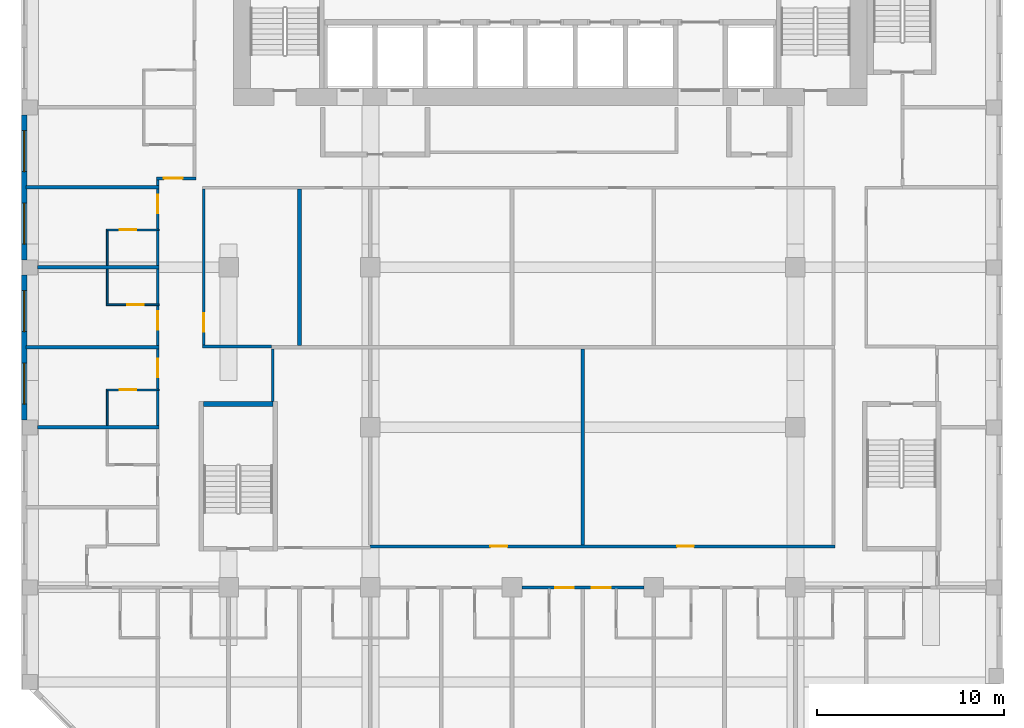
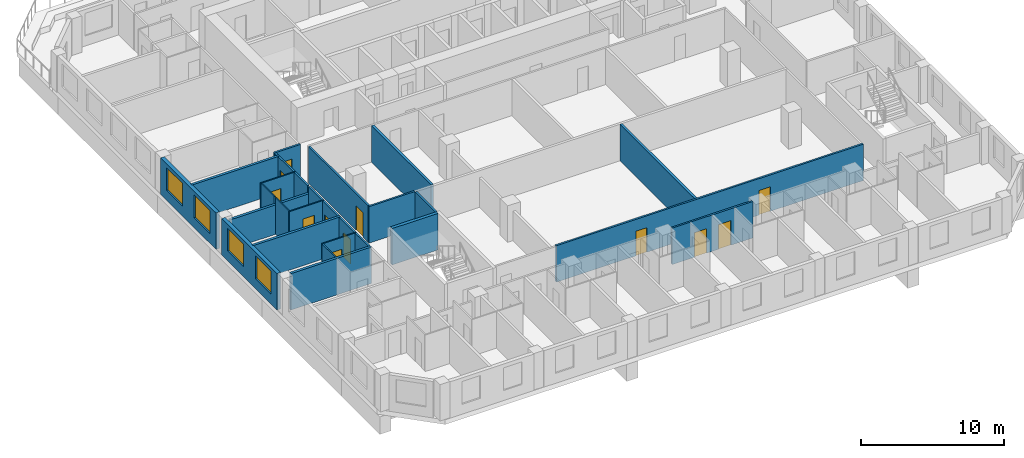
# One storey, part 4 of 16: 28 walls, 12 doors, 4 windows, 16 openings.
"""IFC4 building model written with IfcOpenShell, lengths in metres."""

from ifc_helpers import new_model, si_unit, direction, frame, frame_2d, origin, place, context, subcontext, project, spatial, rectangle, extrude, source, transform, mapped, material, layer, layer_set, type_object, element, fill, save


model = new_model("IFC4")

# Units and contexts
model_context = context("Model", 3, precision=1e-05, world=origin(), true_north=direction((0.0, 1.0)))
body_context = subcontext(model_context, "Body", "Model", "MODEL_VIEW")
ifc_project = project(units=[si_unit("LENGTHUNIT", "METRE"), si_unit("AREAUNIT", "SQUARE_METRE"), si_unit("VOLUMEUNIT", "CUBIC_METRE"), si_unit("PLANEANGLEUNIT", "RADIAN"), si_unit("MASSUNIT", "GRAM", prefix="KILO")], contexts=[model_context])

# Site, building, storey
site_placement = place(None, origin())
site = spatial("IfcSite", under=ifc_project, at=site_placement, CompositionType="ELEMENT")
building_placement = place(site_placement, origin())
building = spatial("IfcBuilding", under=site, at=building_placement, Name="Kilnfold Tower and Market Hall", CompositionType="ELEMENT")
storey_placement = place(building_placement, frame((0.0, 0.0, 168.5)))
storey = spatial("IfcBuildingStorey", under=building, at=storey_placement, Name="L39", CompositionType="ELEMENT", Elevation=168.5)

# Wall, openings, doors
ifc_material_1 = material(Name="Gypsum board on steel studs", Category="steel")
ifc_layer_1 = layer(ifc_material_1, 0.14990234375)
ifc_layer_set_1 = layer_set([ifc_layer_1], Name="Gypsum board on steel studs")
wall_type_1 = type_object("IfcWallType", Name="WALL CORRIDOR 150", PredefinedType="PARTITIONING", material=ifc_layer_set_1)
wall_1_placement = place(storey_placement, frame((-0.47509765625, -17.699951171875, 0.0), z_axis=(0.0, 0.0, 1.0), x_axis=(1.0, 0.0, 0.0)))
wall_1 = element("IfcWall", 1, at=wall_1_placement, inside=storey, type_object=wall_type_1, Name="Partition LY26.4", PredefinedType="PARTITIONING", context=body_context, shape_type="SweptSolid", body=[
    extrude(rectangle(XDim=6.533203125, YDim=0.14990234375, at=frame_2d((3.2666015625, 0.0))), origin(), (0.0, 0.0, 1.0), 3.1201171875),
])
opening_1_placement = place(wall_1_placement, frame((1.785888671875, 0.0, 0.0)))
opening_1 = element("IfcOpeningElement", 2, at=opening_1_placement, cuts=wall_1, Name="Opening D1", PredefinedType="OPENING", context=body_context, shape_type="SweptSolid", body=[
    extrude(rectangle(XDim=1.0, YDim=2.10009765625, at=frame_2d((0.5, 1.050048828125))), frame((0.0, 0.0849609375, 0.0), z_axis=(0.0, -1.0, 0.0), x_axis=(1.0, 0.0, 0.0)), (0.0, 0.0, 1.0), 0.169921875),
])
opening_2_placement = place(wall_1_placement, frame((3.748046875, 0.0, 0.0)))
opening_2 = element("IfcOpeningElement", 3, at=opening_2_placement, cuts=wall_1, Name="Opening D1", PredefinedType="OPENING", context=body_context, shape_type="SweptSolid", body=[
    extrude(rectangle(XDim=1.0, YDim=2.10009765625, at=frame_2d((0.5, 1.050048828125))), frame((0.0, 0.0849609375, 0.0), z_axis=(0.0, -1.0, 0.0), x_axis=(1.0, 0.0, 0.0)), (0.0, 0.0, 1.0), 0.169921875),
])
ifc_material_2 = material(Name="Timber veneer door leaf in steel frame", Category="steel")
door_type_1 = type_object("IfcDoorType", Name="DOOR ENTRY 1000 X2100", OperationType="NOTDEFINED", PredefinedType="DOOR", material=ifc_material_2)
door_1_placement = place(opening_1_placement, origin())
door_1 = element("IfcDoor", 4, at=door_1_placement, inside=storey, type_object=door_type_1, Name="Door D1", OperationType="SINGLE_SWING_RIGHT", OverallHeight=2.10009765625, OverallWidth=1.0, PredefinedType="DOOR", context=body_context, shape_type="SweptSolid", body=[
    extrude(rectangle(XDim=1.0, YDim=2.10009765625, at=frame_2d((0.5, 1.050048828125))), frame((0.0, 0.02490234375, 0.0), z_axis=(0.0, -1.0, 0.0), x_axis=(1.0, 0.0, 0.0)), (0.0, 0.0, 1.0), 0.050048828125),
])
fill(opening_1, door_1)
door_2_placement = place(opening_2_placement, origin())
door_2 = element("IfcDoor", 5, at=door_2_placement, inside=storey, type_object=door_type_1, Name="Door D1", OperationType="SINGLE_SWING_RIGHT", OverallHeight=2.10009765625, OverallWidth=1.0, PredefinedType="DOOR", context=body_context, shape_type="SweptSolid", body=[
    extrude(rectangle(XDim=1.0, YDim=2.10009765625, at=frame_2d((0.5, 1.050048828125))), frame((0.0, 0.02490234375, 0.0), z_axis=(0.0, -1.0, 0.0), x_axis=(1.0, 0.0, 0.0)), (0.0, 0.0, 1.0), 0.050048828125),
])
fill(opening_2, door_2)

# Wall, opening, door
wall_2_placement = place(storey_placement, frame((-19.958984375, -7.0849609375, 0.0), z_axis=(0.0, 0.0, 1.0), x_axis=(0.0, 1.0, 0.0)))
wall_2 = element("IfcWall", 6, at=wall_2_placement, inside=storey, type_object=wall_type_1, Name="Partition LY26.12", PredefinedType="PARTITIONING", context=body_context, shape_type="SweptSolid", body=[
    extrude(rectangle(XDim=2.15185546875, YDim=0.14990234375, at=frame_2d((1.075927734375, 0.0))), origin(), (0.0, 0.0, 1.0), 3.1201171875),
])
opening_3_placement = place(wall_2_placement, frame((0.6298828125, 0.0, 0.0)))
opening_3 = element("IfcOpeningElement", 7, at=opening_3_placement, cuts=wall_2, Name="Opening D1", PredefinedType="OPENING", context=body_context, shape_type="SweptSolid", body=[
    extrude(rectangle(XDim=1.0, YDim=2.10009765625, at=frame_2d((0.5, 1.050048828125))), frame((0.0, 0.0849609375, 0.0), z_axis=(0.0, -1.0, 0.0), x_axis=(1.0, 0.0, 0.0)), (0.0, 0.0, 1.0), 0.169921875),
])
door_3_placement = place(opening_3_placement, origin())
door_3 = element("IfcDoor", 8, at=door_3_placement, inside=storey, type_object=door_type_1, Name="Door D1", OperationType="SINGLE_SWING_RIGHT", OverallHeight=2.10009765625, OverallWidth=1.0, PredefinedType="DOOR", context=body_context, shape_type="SweptSolid", body=[
    extrude(rectangle(XDim=1.0, YDim=2.10009765625, at=frame_2d((0.5, 1.050048828125))), frame((0.0, 0.02490234375, 0.0), z_axis=(0.0, -1.0, 0.0), x_axis=(1.0, 0.0, 0.0)), (0.0, 0.0, 1.0), 0.050048828125),
])
fill(opening_3, door_3)

# Wall
wall_3_placement = place(storey_placement, frame((-19.958984375, -9.034912109375, 0.0), z_axis=(0.0, 0.0, 1.0), x_axis=(0.0, 1.0, 0.0)))
element("IfcWall", 9, at=wall_3_placement, inside=storey, type_object=wall_type_1, Name="Partition LY26.13", PredefinedType="PARTITIONING", context=body_context, shape_type="SweptSolid", body=[
    extrude(rectangle(XDim=1.869873046875, YDim=0.14990234375, at=frame_2d((0.93505859375, 0.0))), origin(), (0.0, 0.0, 1.0), 3.1201171875),
])

# Wall, opening, door
wall_4_placement = place(storey_placement, frame((-19.958984375, -4.7529296875, 0.0), z_axis=(0.0, 0.0, 1.0), x_axis=(0.0, 1.0, 0.0)))
wall_4 = element("IfcWall", 10, at=wall_4_placement, inside=storey, type_object=wall_type_1, Name="Partition LY26.14", PredefinedType="PARTITIONING", context=body_context, shape_type="SweptSolid", body=[
    extrude(rectangle(XDim=2.15087890625, YDim=0.14990234375, at=frame_2d((1.075439453125, 0.0))), origin(), (0.0, 0.0, 1.0), 3.1201171875),
])
opening_4_placement = place(wall_4_placement, frame((0.843994140625, 0.0, 0.0)))
opening_4 = element("IfcOpeningElement", 11, at=opening_4_placement, cuts=wall_4, Name="Opening D1", PredefinedType="OPENING", context=body_context, shape_type="SweptSolid", body=[
    extrude(rectangle(XDim=1.0, YDim=2.10009765625, at=frame_2d((0.5, 1.050048828125))), frame((0.0, 0.0849609375, 0.0), z_axis=(0.0, -1.0, 0.0), x_axis=(1.0, 0.0, 0.0)), (0.0, 0.0, 1.0), 0.169921875),
])
door_4_placement = place(opening_4_placement, origin())
door_4 = element("IfcDoor", 12, at=door_4_placement, inside=storey, type_object=door_type_1, Name="Door D1", OperationType="SINGLE_SWING_RIGHT", OverallHeight=2.10009765625, OverallWidth=1.0, PredefinedType="DOOR", context=body_context, shape_type="SweptSolid", body=[
    extrude(rectangle(XDim=1.0, YDim=2.10009765625, at=frame_2d((0.5, 1.050048828125))), frame((0.0, 0.02490234375, 0.0), z_axis=(0.0, -1.0, 0.0), x_axis=(1.0, 0.0, 0.0)), (0.0, 0.0, 1.0), 0.050048828125),
])
fill(opening_4, door_4)

# Wall
wall_5_placement = place(storey_placement, frame((-19.958984375, -2.52197265625, 0.0), z_axis=(0.0, 0.0, 1.0), x_axis=(0.0, 1.0, 0.0)))
element("IfcWall", 13, at=wall_5_placement, inside=storey, type_object=wall_type_1, Name="Partition LY26.15", PredefinedType="PARTITIONING", context=body_context, shape_type="SweptSolid", body=[
    extrude(rectangle(XDim=1.869873046875, YDim=0.14990234375, at=frame_2d((0.93505859375, 0.0))), origin(), (0.0, 0.0, 1.0), 3.1201171875),
])

# Wall, opening, door
wall_6_placement = place(storey_placement, frame((-19.958984375, 1.47802734375, 0.0), z_axis=(0.0, 0.0, 1.0), x_axis=(0.0, 1.0, 0.0)))
wall_6 = element("IfcWall", 14, at=wall_6_placement, inside=storey, type_object=wall_type_1, Name="Partition LY26.16", PredefinedType="PARTITIONING", context=body_context, shape_type="SweptSolid", body=[
    extrude(rectangle(XDim=2.15087890625, YDim=0.14990234375, at=frame_2d((1.075439453125, 0.0))), origin(), (0.0, 0.0, 1.0), 3.1201171875),
])
opening_5_placement = place(wall_6_placement, frame((0.843994140625, 0.0, 0.0)))
opening_5 = element("IfcOpeningElement", 15, at=opening_5_placement, cuts=wall_6, Name="Opening D1", PredefinedType="OPENING", context=body_context, shape_type="SweptSolid", body=[
    extrude(rectangle(XDim=1.0, YDim=2.10009765625, at=frame_2d((0.5, 1.050048828125))), frame((0.0, 0.0849609375, 0.0), z_axis=(0.0, -1.0, 0.0), x_axis=(1.0, 0.0, 0.0)), (0.0, 0.0, 1.0), 0.169921875),
])
door_5_placement = place(opening_5_placement, origin())
door_5 = element("IfcDoor", 16, at=door_5_placement, inside=storey, type_object=door_type_1, Name="Door D1", OperationType="SINGLE_SWING_RIGHT", OverallHeight=2.10009765625, OverallWidth=1.0, PredefinedType="DOOR", context=body_context, shape_type="SweptSolid", body=[
    extrude(rectangle(XDim=1.0, YDim=2.10009765625, at=frame_2d((0.5, 1.050048828125))), frame((0.0, 0.02490234375, 0.0), z_axis=(0.0, -1.0, 0.0), x_axis=(1.0, 0.0, 0.0)), (0.0, 0.0, 1.0), 0.050048828125),
])
fill(opening_5, door_5)

# Walls
wall_7_placement = place(storey_placement, frame((-19.958984375, -0.471923828125, 0.0), z_axis=(0.0, 0.0, 1.0), x_axis=(0.0, 1.0, 0.0)))
element("IfcWall", 17, at=wall_7_placement, inside=storey, type_object=wall_type_1, Name="Partition LY26.17", PredefinedType="PARTITIONING", context=body_context, shape_type="SweptSolid", body=[
    extrude(rectangle(XDim=1.869873046875, YDim=0.14990234375, at=frame_2d((0.93505859375, 0.0))), origin(), (0.0, 0.0, 1.0), 3.1201171875),
])
wall_8_placement = place(storey_placement, frame((-19.958984375, 3.80908203125, 0.0), z_axis=(0.0, 0.0, 1.0), x_axis=(0.0, 1.0, 0.0)))
element("IfcWall", 18, at=wall_8_placement, inside=storey, type_object=wall_type_1, Name="Partition LY26.18", PredefinedType="PARTITIONING", context=body_context, shape_type="SweptSolid", body=[
    extrude(rectangle(XDim=0.31591796875, YDim=0.14990234375, at=frame_2d((0.157958984375, 0.0))), origin(), (0.0, 0.0, 1.0), 3.1201171875),
])

# Wall, opening, door
wall_9_placement = place(storey_placement, frame((-17.925048828125, 4.199951171875, 0.0), z_axis=(0.0, 0.0, 1.0), x_axis=(-1.0, 0.0, 0.0)))
wall_9 = element("IfcWall", 19, at=wall_9_placement, inside=storey, type_object=wall_type_1, Name="Partition LY26.19", PredefinedType="PARTITIONING", context=body_context, shape_type="SweptSolid", body=[
    extrude(rectangle(XDim=2.10888671875, YDim=0.14990234375, at=frame_2d((1.054443359375, 0.0))), origin(), (0.0, 0.0, 1.0), 3.1201171875),
])
opening_6_placement = place(wall_9_placement, frame((0.7060546875, 0.0, 0.0)))
opening_6 = element("IfcOpeningElement", 20, at=opening_6_placement, cuts=wall_9, Name="Opening D1", PredefinedType="OPENING", context=body_context, shape_type="SweptSolid", body=[
    extrude(rectangle(XDim=1.0, YDim=2.10009765625, at=frame_2d((0.5, 1.050048828125))), frame((0.0, 0.0849609375, 0.0), z_axis=(0.0, -1.0, 0.0), x_axis=(1.0, 0.0, 0.0)), (0.0, 0.0, 1.0), 0.169921875),
])
door_6_placement = place(opening_6_placement, origin())
door_6 = element("IfcDoor", 21, at=door_6_placement, inside=storey, type_object=door_type_1, Name="Door D1", OperationType="SINGLE_SWING_RIGHT", OverallHeight=2.10009765625, OverallWidth=1.0, PredefinedType="DOOR", context=body_context, shape_type="SweptSolid", body=[
    extrude(rectangle(XDim=1.0, YDim=2.10009765625, at=frame_2d((0.5, 1.050048828125))), frame((0.0, 0.02490234375, 0.0), z_axis=(0.0, -1.0, 0.0), x_axis=(1.0, 0.0, 0.0)), (0.0, 0.0, 1.0), 0.050048828125),
])
fill(opening_6, door_6)

wall_10_placement = place(storey_placement, frame((-17.5, -4.72509765625, 0.0), z_axis=(0.0, 0.0, 1.0), x_axis=(0.0, 1.0, 0.0)))
wall_10 = element("IfcWall", 22, at=wall_10_placement, inside=storey, type_object=wall_type_1, Name="Partition LY26.43", PredefinedType="PARTITIONING", context=body_context, shape_type="SweptSolid", body=[
    extrude(rectangle(XDim=8.35009765625, YDim=0.14990234375, at=frame_2d((4.175048828125, 0.0))), origin(), (0.0, 0.0, 1.0), 3.1201171875),
])
opening_7_placement = place(wall_10_placement, frame((0.7041015625, 0.0, 0.0)))
opening_7 = element("IfcOpeningElement", 23, at=opening_7_placement, cuts=wall_10, Name="Opening D4", PredefinedType="OPENING", context=body_context, shape_type="SweptSolid", body=[
    extrude(rectangle(XDim=1.0, YDim=2.10009765625, at=frame_2d((0.5, 1.050048828125))), frame((0.0, 0.0849609375, 0.0), z_axis=(0.0, -1.0, 0.0), x_axis=(1.0, 0.0, 0.0)), (0.0, 0.0, 1.0), 0.169921875),
])
ifc_material_3 = material(Name="Timber veneer door leaf in steel frame", Category="steel")
door_type_2 = type_object("IfcDoorType", Name="DOOR SERVICE 1000 X2100", OperationType="NOTDEFINED", PredefinedType="DOOR", material=ifc_material_3)
door_7_placement = place(opening_7_placement, origin())
door_7 = element("IfcDoor", 24, at=door_7_placement, inside=storey, type_object=door_type_2, Name="Door D4", OperationType="SINGLE_SWING_RIGHT", OverallHeight=2.10009765625, OverallWidth=1.0, PredefinedType="DOOR", context=body_context, shape_type="SweptSolid", body=[
    extrude(rectangle(XDim=1.0, YDim=2.10009765625, at=frame_2d((0.5, 1.050048828125))), frame((0.0, 0.02490234375, 0.0), z_axis=(0.0, -1.0, 0.0), x_axis=(1.0, 0.0, 0.0)), (0.0, 0.0, 1.0), 0.050048828125),
])
fill(opening_7, door_7)

# Walls
wall_11_placement = place(storey_placement, frame((-17.574951171875, -4.800048828125, 0.0), z_axis=(0.0, 0.0, 1.0), x_axis=(1.0, 0.0, 0.0)))
element("IfcWall", 25, at=wall_11_placement, inside=storey, type_object=wall_type_1, Name="Partition LY26.44", PredefinedType="PARTITIONING", context=body_context, shape_type="SweptSolid", body=[
    extrude(rectangle(XDim=3.701904296875, YDim=0.14990234375, at=frame_2d((1.85107421875, 0.0))), origin(), (0.0, 0.0, 1.0), 3.1201171875),
])
wall_12_placement = place(storey_placement, frame((-13.800048828125, -7.75, 0.0), z_axis=(0.0, 0.0, 1.0), x_axis=(0.0, 1.0, 0.0)))
element("IfcWall", 26, at=wall_12_placement, inside=storey, type_object=wall_type_1, Name="Partition LY26.46", PredefinedType="PARTITIONING", context=body_context, shape_type="SweptSolid", body=[
    extrude(rectangle(XDim=2.81689453125, YDim=0.14990234375, at=frame_2d((1.408447265625, 0.0))), origin(), (0.0, 0.0, 1.0), 3.1201171875),
])

# Wall, openings, doors
wall_13_placement = place(storey_placement, frame((-8.593017578125, -15.5, 0.0), z_axis=(0.0, 0.0, 1.0), x_axis=(1.0, 0.0, 0.0)))
wall_13 = element("IfcWall", 27, at=wall_13_placement, inside=storey, type_object=wall_type_1, Name="Partition LY26.48", PredefinedType="PARTITIONING", context=body_context, shape_type="SweptSolid", body=[
    extrude(rectangle(XDim=24.867919921875, YDim=0.14990234375, at=frame_2d((12.43408203125, 0.0))), origin(), (0.0, 0.0, 1.0), 3.1201171875),
])
opening_8_placement = place(wall_13_placement, frame((6.43994140625, 0.0, 0.0)))
opening_8 = element("IfcOpeningElement", 28, at=opening_8_placement, cuts=wall_13, Name="Opening D2", PredefinedType="OPENING", context=body_context, shape_type="SweptSolid", body=[
    extrude(rectangle(XDim=0.89990234375, YDim=2.10009765625, at=frame_2d((0.449951171875, 1.050048828125))), frame((0.0, 0.0849609375, 0.0), z_axis=(0.0, -1.0, 0.0), x_axis=(1.0, 0.0, 0.0)), (0.0, 0.0, 1.0), 0.169921875),
])
opening_9_placement = place(wall_13_placement, frame((16.429931640625, 0.0, 0.0)))
opening_9 = element("IfcOpeningElement", 29, at=opening_9_placement, cuts=wall_13, Name="Opening D2", PredefinedType="OPENING", context=body_context, shape_type="SweptSolid", body=[
    extrude(rectangle(XDim=0.89990234375, YDim=2.10009765625, at=frame_2d((0.449951171875, 1.050048828125))), frame((0.0, 0.0849609375, 0.0), z_axis=(0.0, -1.0, 0.0), x_axis=(1.0, 0.0, 0.0)), (0.0, 0.0, 1.0), 0.169921875),
])
ifc_material_4 = material(Name="Timber veneer door leaf in steel frame", Category="steel")
door_type_3 = type_object("IfcDoorType", Name="DOOR ROOM 900 X2100", OperationType="NOTDEFINED", PredefinedType="DOOR", material=ifc_material_4)
door_8_placement = place(opening_8_placement, origin())
door_8 = element("IfcDoor", 30, at=door_8_placement, inside=storey, type_object=door_type_3, Name="Door D2", OperationType="SINGLE_SWING_RIGHT", OverallHeight=2.10009765625, OverallWidth=0.89990234375, PredefinedType="DOOR", context=body_context, shape_type="SweptSolid", body=[
    extrude(rectangle(XDim=0.89990234375, YDim=2.10009765625, at=frame_2d((0.449951171875, 1.050048828125))), frame((0.0, 0.02490234375, 0.0), z_axis=(0.0, -1.0, 0.0), x_axis=(1.0, 0.0, 0.0)), (0.0, 0.0, 1.0), 0.050048828125),
])
fill(opening_8, door_8)
door_9_placement = place(opening_9_placement, origin())
door_9 = element("IfcDoor", 31, at=door_9_placement, inside=storey, type_object=door_type_3, Name="Door D2", OperationType="SINGLE_SWING_RIGHT", OverallHeight=2.10009765625, OverallWidth=0.89990234375, PredefinedType="DOOR", context=body_context, shape_type="SweptSolid", body=[
    extrude(rectangle(XDim=0.89990234375, YDim=2.10009765625, at=frame_2d((0.449951171875, 1.050048828125))), frame((0.0, 0.02490234375, 0.0), z_axis=(0.0, -1.0, 0.0), x_axis=(1.0, 0.0, 0.0)), (0.0, 0.0, 1.0), 0.050048828125),
])
fill(opening_9, door_9)

# Wall, opening, door
ifc_material_5 = material(Name="Gypsum board on steel studs", Category="steel")
ifc_layer_2 = layer(ifc_material_5, 0.10009765625)
ifc_layer_set_2 = layer_set([ifc_layer_2], Name="Gypsum board on steel studs")
wall_type_2 = type_object("IfcWallType", Name="WALL PARTITION 100", PredefinedType="PARTITIONING", material=ifc_layer_set_2)
wall_14_placement = place(storey_placement, frame((-22.7109375, -7.125, 0.0), z_axis=(0.0, 0.0, 1.0), x_axis=(1.0, 0.0, 0.0)))
wall_14 = element("IfcWall", 32, at=wall_14_placement, inside=storey, type_object=wall_type_2, Name="Partition LY26.95", PredefinedType="PARTITIONING", context=body_context, shape_type="SweptSolid", body=[
    extrude(rectangle(XDim=2.824951171875, YDim=0.10009765625, at=frame_2d((1.41259765625, 0.0))), origin(), (0.0, 0.0, 1.0), 3.1201171875),
])
opening_10_placement = place(wall_14_placement, frame((0.7080078125, 0.0, 0.0)))
opening_10 = element("IfcOpeningElement", 33, at=opening_10_placement, cuts=wall_14, Name="Opening D3", PredefinedType="OPENING", context=body_context, shape_type="SweptSolid", body=[
    extrude(rectangle(XDim=0.89990234375, YDim=2.10009765625, at=frame_2d((0.449951171875, 1.050048828125))), frame((0.0, 0.06005859375, 0.0), z_axis=(0.0, -1.0, 0.0), x_axis=(1.0, 0.0, 0.0)), (0.0, 0.0, 1.0), 0.1201171875),
])
ifc_material_6 = material(Name="Timber veneer door leaf in steel frame", Category="steel")
door_type_4 = type_object("IfcDoorType", Name="DOOR WC 900 X2100", OperationType="NOTDEFINED", PredefinedType="DOOR", material=ifc_material_6)
door_10_placement = place(opening_10_placement, origin())
door_10 = element("IfcDoor", 34, at=door_10_placement, inside=storey, type_object=door_type_4, Name="Door D3", OperationType="SINGLE_SWING_RIGHT", OverallHeight=2.10009765625, OverallWidth=0.89990234375, PredefinedType="DOOR", context=body_context, shape_type="SweptSolid", body=[
    extrude(rectangle(XDim=0.89990234375, YDim=2.10009765625, at=frame_2d((0.449951171875, 1.050048828125))), frame((0.0, 0.02490234375, 0.0), z_axis=(0.0, -1.0, 0.0), x_axis=(1.0, 0.0, 0.0)), (0.0, 0.0, 1.0), 0.050048828125),
])
fill(opening_10, door_10)

# Wall
wall_15_placement = place(storey_placement, frame((-22.660888671875, -9.02490234375, 0.0), z_axis=(0.0, 0.0, 1.0), x_axis=(0.0, 1.0, 0.0)))
element("IfcWall", 35, at=wall_15_placement, inside=storey, type_object=wall_type_2, Name="Partition LY26.96", PredefinedType="PARTITIONING", context=body_context, shape_type="SweptSolid", body=[
    extrude(rectangle(XDim=1.849853515625, YDim=0.10009765625, at=frame_2d((0.9248046875, 0.0))), origin(), (0.0, 0.0, 1.0), 3.1201171875),
])

# Wall, opening, door
wall_16_placement = place(storey_placement, frame((-19.885986328125, -2.56201171875, 0.0), z_axis=(0.0, 0.0, 1.0), x_axis=(-1.0, 0.0, 0.0)))
wall_16 = element("IfcWall", 36, at=wall_16_placement, inside=storey, type_object=wall_type_2, Name="Partition LY26.98", PredefinedType="PARTITIONING", context=body_context, shape_type="SweptSolid", body=[
    extrude(rectangle(XDim=2.824951171875, YDim=0.10009765625, at=frame_2d((1.41259765625, 0.0))), origin(), (0.0, 0.0, 1.0), 3.1201171875),
])
opening_11_placement = place(wall_16_placement, frame((0.81005859375, 0.0, 0.0)))
opening_11 = element("IfcOpeningElement", 37, at=opening_11_placement, cuts=wall_16, Name="Opening D3", PredefinedType="OPENING", context=body_context, shape_type="SweptSolid", body=[
    extrude(rectangle(XDim=0.89990234375, YDim=2.10009765625, at=frame_2d((0.449951171875, 1.050048828125))), frame((0.0, 0.06005859375, 0.0), z_axis=(0.0, -1.0, 0.0), x_axis=(1.0, 0.0, 0.0)), (0.0, 0.0, 1.0), 0.1201171875),
])
door_11_placement = place(opening_11_placement, origin())
door_11 = element("IfcDoor", 38, at=door_11_placement, inside=storey, type_object=door_type_4, Name="Door D3", OperationType="SINGLE_SWING_LEFT", OverallHeight=2.10009765625, OverallWidth=0.89990234375, PredefinedType="DOOR", context=body_context, shape_type="SweptSolid", body=[
    extrude(rectangle(XDim=0.89990234375, YDim=2.10009765625, at=frame_2d((0.449951171875, 1.050048828125))), frame((0.0, 0.02490234375, 0.0), z_axis=(0.0, -1.0, 0.0), x_axis=(1.0, 0.0, 0.0)), (0.0, 0.0, 1.0), 0.050048828125),
])
fill(opening_11, door_11)

# Wall
wall_17_placement = place(storey_placement, frame((-22.660888671875, -2.511962890625, 0.0), z_axis=(0.0, 0.0, 1.0), x_axis=(0.0, 1.0, 0.0)))
element("IfcWall", 39, at=wall_17_placement, inside=storey, type_object=wall_type_2, Name="Partition LY26.99", PredefinedType="PARTITIONING", context=body_context, shape_type="SweptSolid", body=[
    extrude(rectangle(XDim=1.849853515625, YDim=0.10009765625, at=frame_2d((0.9248046875, 0.0))), origin(), (0.0, 0.0, 1.0), 3.1201171875),
])

# Wall, opening, door
wall_18_placement = place(storey_placement, frame((-22.7109375, 1.43798828125, 0.0), z_axis=(0.0, 0.0, 1.0), x_axis=(1.0, 0.0, 0.0)))
wall_18 = element("IfcWall", 40, at=wall_18_placement, inside=storey, type_object=wall_type_2, Name="Partition LY26.101", PredefinedType="PARTITIONING", context=body_context, shape_type="SweptSolid", body=[
    extrude(rectangle(XDim=2.824951171875, YDim=0.10009765625, at=frame_2d((1.41259765625, 0.0))), origin(), (0.0, 0.0, 1.0), 3.1201171875),
])
opening_12_placement = place(wall_18_placement, frame((0.7080078125, 0.0, 0.0)))
opening_12 = element("IfcOpeningElement", 41, at=opening_12_placement, cuts=wall_18, Name="Opening D3", PredefinedType="OPENING", context=body_context, shape_type="SweptSolid", body=[
    extrude(rectangle(XDim=0.89990234375, YDim=2.10009765625, at=frame_2d((0.449951171875, 1.050048828125))), frame((0.0, 0.06005859375, 0.0), z_axis=(0.0, -1.0, 0.0), x_axis=(1.0, 0.0, 0.0)), (0.0, 0.0, 1.0), 0.1201171875),
])
door_12_placement = place(opening_12_placement, origin())
door_12 = element("IfcDoor", 42, at=door_12_placement, inside=storey, type_object=door_type_4, Name="Door D3", OperationType="SINGLE_SWING_RIGHT", OverallHeight=2.10009765625, OverallWidth=0.89990234375, PredefinedType="DOOR", context=body_context, shape_type="SweptSolid", body=[
    extrude(rectangle(XDim=0.89990234375, YDim=2.10009765625, at=frame_2d((0.449951171875, 1.050048828125))), frame((0.0, 0.02490234375, 0.0), z_axis=(0.0, -1.0, 0.0), x_axis=(1.0, 0.0, 0.0)), (0.0, 0.0, 1.0), 0.050048828125),
])
fill(opening_12, door_12)

# Walls
wall_19_placement = place(storey_placement, frame((-22.660888671875, -0.4619140625, 0.0), z_axis=(0.0, 0.0, 1.0), x_axis=(0.0, 1.0, 0.0)))
element("IfcWall", 43, at=wall_19_placement, inside=storey, type_object=wall_type_2, Name="Partition LY26.102", PredefinedType="PARTITIONING", context=body_context, shape_type="SweptSolid", body=[
    extrude(rectangle(XDim=1.849853515625, YDim=0.10009765625, at=frame_2d((0.9248046875, 0.0))), origin(), (0.0, 0.0, 1.0), 3.1201171875),
])
ifc_material_7 = material(Name="Gypsum board on steel studs", Category="steel")
ifc_layer_3 = layer(ifc_material_7, 0.199951171875)
ifc_layer_set_3 = layer_set([ifc_layer_3], Name="Gypsum board on steel studs")
wall_type_3 = type_object("IfcWallType", Name="WALL PARTY 200", PredefinedType="PARTITIONING", material=ifc_layer_set_3)
wall_20_placement = place(storey_placement, frame((-26.39990234375, -9.125, 0.0), z_axis=(0.0, 0.0, 1.0), x_axis=(1.0, 0.0, 0.0)))
element("IfcWall", 44, at=wall_20_placement, inside=storey, type_object=wall_type_3, Name="Partition LY26.94", PredefinedType="PARTITIONING", context=body_context, shape_type="SweptSolid", body=[
    extrude(rectangle(XDim=6.513916015625, YDim=0.199951171875, at=frame_2d((3.2568359375, 0.0))), origin(), (0.0, 0.0, 1.0), 3.1201171875),
])
wall_21_placement = place(storey_placement, frame((-27.0, -4.843017578125, 0.0), z_axis=(0.0, 0.0, 1.0), x_axis=(1.0, 0.0, 0.0)))
element("IfcWall", 45, at=wall_21_placement, inside=storey, type_object=wall_type_3, Name="Partition LY26.97", PredefinedType="PARTITIONING", context=body_context, shape_type="SweptSolid", body=[
    extrude(rectangle(XDim=7.114013671875, YDim=0.199951171875, at=frame_2d((3.55712890625, 0.0))), origin(), (0.0, 0.0, 1.0), 3.1201171875),
])
wall_22_placement = place(storey_placement, frame((-26.39990234375, -0.56201171875, 0.0), z_axis=(0.0, 0.0, 1.0), x_axis=(1.0, 0.0, 0.0)))
element("IfcWall", 46, at=wall_22_placement, inside=storey, type_object=wall_type_3, Name="Partition LY26.100", PredefinedType="PARTITIONING", context=body_context, shape_type="SweptSolid", body=[
    extrude(rectangle(XDim=6.513916015625, YDim=0.199951171875, at=frame_2d((3.2568359375, 0.0))), origin(), (0.0, 0.0, 1.0), 2.52001953125),
])
wall_23_placement = place(storey_placement, frame((-27.0, 3.718994140625, 0.0), z_axis=(0.0, 0.0, 1.0), x_axis=(1.0, 0.0, 0.0)))
element("IfcWall", 47, at=wall_23_placement, inside=storey, type_object=wall_type_3, Name="Partition LY26.103", PredefinedType="PARTITIONING", context=body_context, shape_type="SweptSolid", body=[
    extrude(rectangle(XDim=7.114013671875, YDim=0.199951171875, at=frame_2d((3.55712890625, 0.0))), origin(), (0.0, 0.0, 1.0), 3.1201171875),
])
wall_24_placement = place(storey_placement, frame((-12.375, -4.742919921875, 0.0), z_axis=(0.0, 0.0, 1.0), x_axis=(0.0, 1.0, 0.0)))
element("IfcWall", 48, at=wall_24_placement, inside=storey, type_object=wall_type_3, Name="Partition LY26.134", PredefinedType="PARTITIONING", context=body_context, shape_type="SweptSolid", body=[
    extrude(rectangle(XDim=8.365966796875, YDim=0.199951171875, at=frame_2d((4.18310546875, 0.0))), origin(), (0.0, 0.0, 1.0), 3.1201171875),
])
wall_25_placement = place(storey_placement, frame((2.7919921875, -15.423095703125, 0.0), z_axis=(0.0, 0.0, 1.0), x_axis=(0.0, 1.0, 0.0)))
element("IfcWall", 49, at=wall_25_placement, inside=storey, type_object=wall_type_3, Name="Partition LY26.142", PredefinedType="PARTITIONING", context=body_context, shape_type="SweptSolid", body=[
    extrude(rectangle(XDim=10.47998046875, YDim=0.199951171875, at=frame_2d((5.239990234375, 0.0))), origin(), (0.0, 0.0, 1.0), 3.1201171875),
])
ifc_material_8 = material(Name="Concrete C70", Category="concrete")
ifc_layer_4 = layer(ifc_material_8, 0.25)
ifc_layer_set_4 = layer_set([ifc_layer_4], Name="Concrete C70")
wall_type_4 = type_object("IfcWallType", Name="CORE WALL 250 C70", PredefinedType="SHEAR", material=ifc_layer_set_4)
shared_shape_1 = source(origin(), body_context, "Body", "SweptSolid", [
    extrude(rectangle(XDim=3.699951171875, YDim=0.25, at=frame_2d((1.85009765625, 0.0))), origin(), (0.0, 0.0, 1.0), 3.1201171875),
])
wall_26_placement = place(storey_placement, frame((-17.5, -7.875, 0.0), z_axis=(0.0, 0.0, 1.0), x_axis=(1.0, 0.0, 0.0)))
element("IfcWall", 50, at=wall_26_placement, inside=storey, type_object=wall_type_4, Name="Stair enclosure ST3", PredefinedType="SHEAR", context=body_context, shape_type="MappedRepresentation", body=[
    mapped(shared_shape_1, transform((0.0, 0.0, 0.0))),
])

# Wall, openings, windows
ifc_material_9 = material(Name="Precast concrete C50/60", Category="concrete")
ifc_layer_5 = layer(ifc_material_9, 0.300048828125)
ifc_layer_set_5 = layer_set([ifc_layer_5], Name="Precast concrete C50/60")
wall_type_5 = type_object("IfcWallType", Name="PRECAST WALL 300", PredefinedType="SOLIDWALL", material=ifc_layer_set_5)
shared_shape_2 = source(origin(), body_context, "Body", "SweptSolid", [
    extrude(rectangle(XDim=7.7626953125, YDim=0.300048828125, at=frame_2d((3.88134765625, 0.0))), origin(), (0.0, 0.0, 1.0), 3.1201171875),
])
wall_27_placement = place(storey_placement, frame((-27.10009765625, 7.60009765625, 0.0), z_axis=(0.0, 0.0, 1.0), x_axis=(0.0, -1.0, 0.0)))
wall_27 = element("IfcWall", 51, at=wall_27_placement, inside=storey, type_object=wall_type_5, Name="External wall L39 W", PredefinedType="SOLIDWALL", context=body_context, shape_type="MappedRepresentation", body=[
    mapped(shared_shape_2, transform((0.0, 0.0, 0.0))),
])
opening_13_placement = place(wall_27_placement, frame((0.840576171875, 0.0, 0.85009765625)))
opening_13 = element("IfcOpeningElement", 52, at=opening_13_placement, cuts=wall_27, Name="Opening W2", PredefinedType="OPENING", context=body_context, shape_type="SweptSolid", body=[
    extrude(rectangle(XDim=2.199951171875, YDim=1.949951171875, at=frame_2d((1.10009765625, 0.97509765625))), frame((0.0, 0.16015625, 0.0), z_axis=(0.0, -1.0, 0.0), x_axis=(1.0, 0.0, 0.0)), (0.0, 0.0, 1.0), 0.320068359375),
])
opening_14_placement = place(wall_27_placement, frame((4.7216796875, 0.0, 0.85009765625)))
opening_14 = element("IfcOpeningElement", 53, at=opening_14_placement, cuts=wall_27, Name="Opening W2", PredefinedType="OPENING", context=body_context, shape_type="SweptSolid", body=[
    extrude(rectangle(XDim=2.199951171875, YDim=1.949951171875, at=frame_2d((1.10009765625, 0.97509765625))), frame((0.0, 0.16015625, 0.0), z_axis=(0.0, -1.0, 0.0), x_axis=(1.0, 0.0, 0.0)), (0.0, 0.0, 1.0), 0.320068359375),
])
ifc_material_10 = material(Name="Aluminium frame and double glazing", Category="aluminium")
window_type = type_object("IfcWindowType", Name="WINDOW W2 2200X1950", PartitioningType="SINGLE_PANEL", PredefinedType="WINDOW", material=ifc_material_10)
window_1_placement = place(opening_13_placement, origin())
window_1 = element("IfcWindow", 54, at=window_1_placement, inside=storey, type_object=window_type, Name="Window W2 L39 W-1", OverallHeight=1.949951171875, OverallWidth=2.199951171875, PartitioningType="SINGLE_PANEL", PredefinedType="WINDOW", context=body_context, shape_type="SweptSolid", body=[
    extrude(rectangle(XDim=2.199951171875, YDim=1.949951171875, at=frame_2d((1.10009765625, 0.97509765625))), frame((0.0, 0.030029296875, 0.0), z_axis=(0.0, -1.0, 0.0), x_axis=(1.0, 0.0, 0.0)), (0.0, 0.0, 1.0), 0.06005859375),
])
fill(opening_13, window_1)
window_2_placement = place(opening_14_placement, origin())
window_2 = element("IfcWindow", 55, at=window_2_placement, inside=storey, type_object=window_type, Name="Window W2 L39 W-2", OverallHeight=1.949951171875, OverallWidth=2.199951171875, PartitioningType="SINGLE_PANEL", PredefinedType="WINDOW", context=body_context, shape_type="SweptSolid", body=[
    extrude(rectangle(XDim=2.199951171875, YDim=1.949951171875, at=frame_2d((1.10009765625, 0.97509765625))), frame((0.0, 0.030029296875, 0.0), z_axis=(0.0, -1.0, 0.0), x_axis=(1.0, 0.0, 0.0)), (0.0, 0.0, 1.0), 0.06005859375),
])
fill(opening_14, window_2)

wall_28_placement = place(storey_placement, frame((-27.10009765625, -0.96240234375, 0.0), z_axis=(0.0, 0.0, 1.0), x_axis=(0.0, -1.0, 0.0)))
wall_28 = element("IfcWall", 56, at=wall_28_placement, inside=storey, type_object=wall_type_5, Name="External wall L39 W", PredefinedType="SOLIDWALL", context=body_context, shape_type="MappedRepresentation", body=[
    mapped(shared_shape_2, transform((0.0, 0.0, 0.0))),
])
opening_15_placement = place(wall_28_placement, frame((0.8408203125, 0.0, 0.85009765625)))
opening_15 = element("IfcOpeningElement", 57, at=opening_15_placement, cuts=wall_28, Name="Opening W2", PredefinedType="OPENING", context=body_context, shape_type="SweptSolid", body=[
    extrude(rectangle(XDim=2.199951171875, YDim=1.949951171875, at=frame_2d((1.10009765625, 0.97509765625))), frame((0.0, 0.16015625, 0.0), z_axis=(0.0, -1.0, 0.0), x_axis=(1.0, 0.0, 0.0)), (0.0, 0.0, 1.0), 0.320068359375),
])
opening_16_placement = place(wall_28_placement, frame((4.721923828125, 0.0, 0.85009765625)))
opening_16 = element("IfcOpeningElement", 58, at=opening_16_placement, cuts=wall_28, Name="Opening W2", PredefinedType="OPENING", context=body_context, shape_type="SweptSolid", body=[
    extrude(rectangle(XDim=2.199951171875, YDim=1.949951171875, at=frame_2d((1.10009765625, 0.97509765625))), frame((0.0, 0.16015625, 0.0), z_axis=(0.0, -1.0, 0.0), x_axis=(1.0, 0.0, 0.0)), (0.0, 0.0, 1.0), 0.320068359375),
])
window_3_placement = place(opening_15_placement, origin())
window_3 = element("IfcWindow", 59, at=window_3_placement, inside=storey, type_object=window_type, Name="Window W2 L39 W-1", OverallHeight=1.949951171875, OverallWidth=2.199951171875, PartitioningType="SINGLE_PANEL", PredefinedType="WINDOW", context=body_context, shape_type="SweptSolid", body=[
    extrude(rectangle(XDim=2.199951171875, YDim=1.949951171875, at=frame_2d((1.10009765625, 0.97509765625))), frame((0.0, 0.030029296875, 0.0), z_axis=(0.0, -1.0, 0.0), x_axis=(1.0, 0.0, 0.0)), (0.0, 0.0, 1.0), 0.06005859375),
])
fill(opening_15, window_3)
window_4_placement = place(opening_16_placement, origin())
window_4 = element("IfcWindow", 60, at=window_4_placement, inside=storey, type_object=window_type, Name="Window W2 L39 W-2", OverallHeight=1.949951171875, OverallWidth=2.199951171875, PartitioningType="SINGLE_PANEL", PredefinedType="WINDOW", context=body_context, shape_type="SweptSolid", body=[
    extrude(rectangle(XDim=2.199951171875, YDim=1.949951171875, at=frame_2d((1.10009765625, 0.97509765625))), frame((0.0, 0.030029296875, 0.0), z_axis=(0.0, -1.0, 0.0), x_axis=(1.0, 0.0, 0.0)), (0.0, 0.0, 1.0), 0.06005859375),
])
fill(opening_16, window_4)

save(model, "model.ifc")
